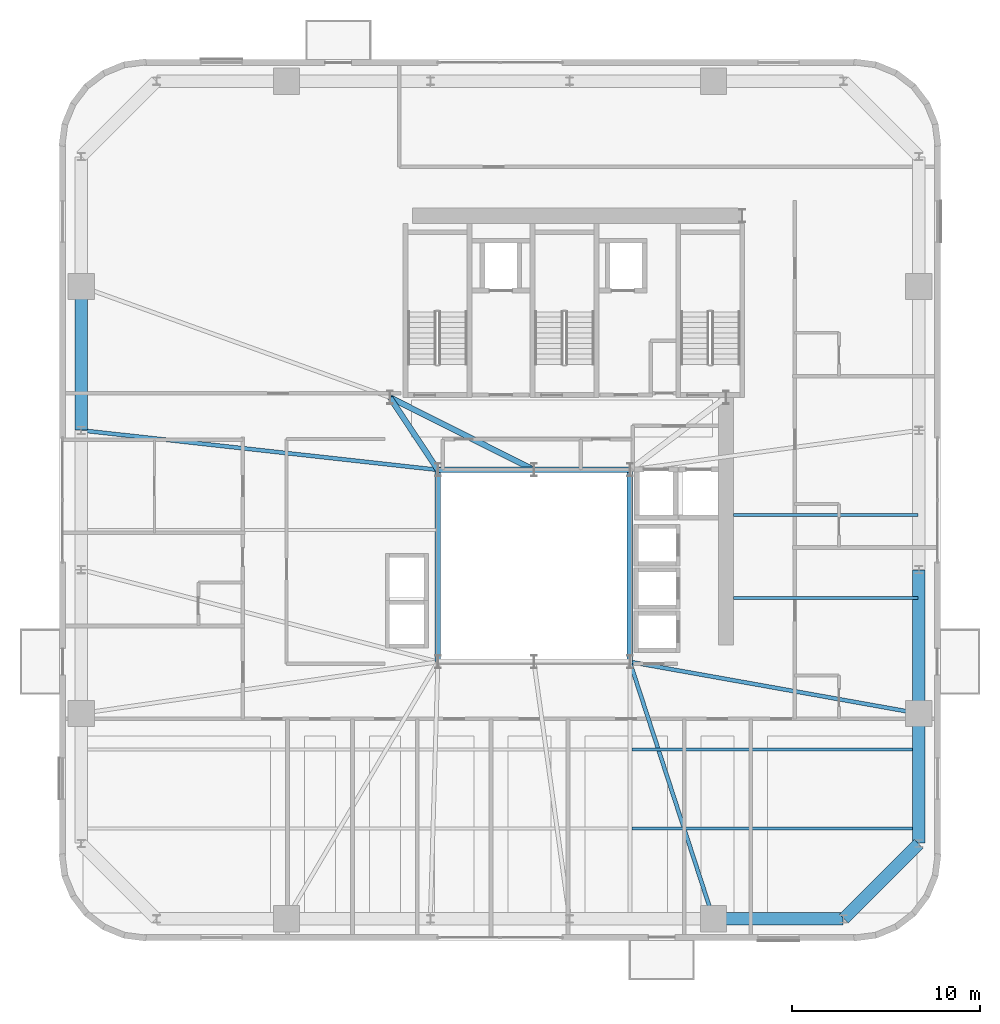
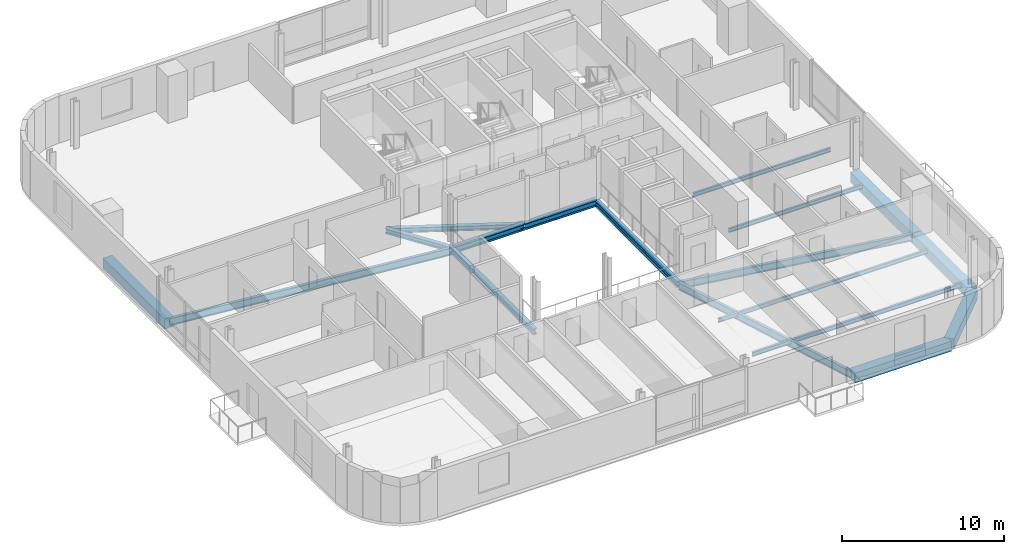
# One storey, part 4 of 16: 18 beams.
"""IFC4 building model written with IfcOpenShell, lengths in metres."""

from ifc_helpers import new_model, si_unit, direction, frame, origin, origin_2d, place, context, subcontext, project, spatial, rectangle, i_section, extrude, source, transform, mapped, material, material_profile, profile_set, type_object, element, save


model = new_model("IFC4")

# Units and contexts
model_context = context("Model", 3, precision=1e-05, world=origin(), true_north=direction((0.0, 1.0)))
body_context = subcontext(model_context, "Body", "Model", "MODEL_VIEW")
ifc_project = project(units=[si_unit("LENGTHUNIT", "METRE"), si_unit("AREAUNIT", "SQUARE_METRE"), si_unit("VOLUMEUNIT", "CUBIC_METRE"), si_unit("PLANEANGLEUNIT", "RADIAN"), si_unit("MASSUNIT", "GRAM", prefix="KILO")], contexts=[model_context])

# Site, building, storey
site_placement = place(None, origin())
site = spatial("IfcSite", under=ifc_project, at=site_placement, CompositionType="ELEMENT")
building_placement = place(site_placement, origin())
building = spatial("IfcBuilding", under=site, at=building_placement, Name="Vardaveli Station Tower", CompositionType="ELEMENT")
storey_placement = place(building_placement, frame((0.0, 0.0, 222.300048828125)))
storey = spatial("IfcBuildingStorey", under=building, at=storey_placement, Name="L57", CompositionType="ELEMENT", Elevation=222.300048828125)

# Beams
ifc_material_1 = material(Name="Structural steel S355J2", Category="steel")
ifc_material_profile_1 = material_profile(ifc_material_1, i_section(OverallWidth=0.300048828125, OverallDepth=0.449951171875, WebThickness=0.013916015625, FlangeThickness=0.02587890625, FilletRadius=0.027099609375, at=origin_2d()), Name="HEB 450")
ifc_profile_set_1 = profile_set([ifc_material_profile_1], Name="Structural steel S355J2")
beam_type_1 = type_object("IfcBeamType", Name="BM-HEB450", PredefinedType="BEAM", material=ifc_profile_set_1)
shared_shape_1 = source(origin(), body_context, "Body", "SweptSolid", [
    extrude(i_section(OverallWidth=0.300048828125, OverallDepth=0.449951171875, WebThickness=0.013916015625, FlangeThickness=0.02587890625, FilletRadius=0.027099609375, at=origin_2d()), origin(), (0.0, 0.0, 1.0), 5.06005859375),
])
beam_1_placement = place(storey_placement, frame((36.280029296875, 26.800048828125, -0.445068359375), z_axis=(-1.0, 0.0, 0.0), x_axis=(0.0, -1.0, 0.0)))
element("IfcBeam", 1, at=beam_1_placement, inside=storey, type_object=beam_type_1, Name="ABM-L57-05", PredefinedType="BEAM", context=body_context, shape_type="MappedRepresentation", body=[
    mapped(shared_shape_1, transform((0.0, 0.0, 0.0), scale=1.0)),
])
shared_shape_2 = source(origin(), body_context, "Body", "SweptSolid", [
    extrude(i_section(OverallWidth=0.300048828125, OverallDepth=0.449951171875, WebThickness=0.013916015625, FlangeThickness=0.02587890625, FilletRadius=0.027099609375, at=origin_2d()), origin(), (0.0, 0.0, 1.0), 5.059814453125),
])
beam_2_placement = place(storey_placement, frame((41.3798828125, 26.800048828125, -0.445068359375), z_axis=(-1.0, 0.0, 0.0), x_axis=(0.0, -1.0, 0.0)))
element("IfcBeam", 2, at=beam_2_placement, inside=storey, type_object=beam_type_1, Name="ABM-L57-04", PredefinedType="BEAM", context=body_context, shape_type="MappedRepresentation", body=[
    mapped(shared_shape_2, transform((0.0, 0.0, 0.0), scale=1.0)),
])
shared_shape_3 = source(origin(), body_context, "Body", "SweptSolid", [
    extrude(i_section(OverallWidth=0.300048828125, OverallDepth=0.449951171875, WebThickness=0.013916015625, FlangeThickness=0.02587890625, FilletRadius=0.027099609375, at=origin_2d()), origin(), (0.0, 0.0, 1.0), 10.159912109375),
])
for number, where, z_axis, x_axis, name in (
    (3, (41.39990234375, 16.6201171875, -0.445068359375), (0.0, 1.0, 0.0), (-1.0, 0.0, 0.0), "ABM-L57-03"),
    (4, (31.199951171875, 26.780029296875, -0.445068359375), (0.0, -1.0, 0.0), (1.0, 0.0, 0.0), "ABM-L57-06"),
):
    element("IfcBeam", number, at=place(storey_placement, frame(where, z_axis=z_axis, x_axis=x_axis)), inside=storey, type_object=beam_type_1, Name=name, PredefinedType="BEAM", context=body_context, shape_type="MappedRepresentation", body=[
        mapped(shared_shape_3, transform((0.0, 0.0, 0.0), scale=1.0)),
    ])
ifc_material_profile_2 = material_profile(ifc_material_1, i_section(OverallWidth=0.300048828125, OverallDepth=0.360107421875, WebThickness=0.012451171875, FlangeThickness=0.0224609375, FilletRadius=0.027099609375, at=origin_2d()), Name="HEB 360")
ifc_profile_set_2 = profile_set([ifc_material_profile_2], Name="Structural steel S355J2")
beam_type_2 = type_object("IfcBeamType", Name="BM-HEB360", PredefinedType="BEAM", material=ifc_profile_set_2)
shared_shape_4 = source(origin(), body_context, "Body", "SweptSolid", [
    extrude(i_section(OverallWidth=0.300048828125, OverallDepth=0.360107421875, WebThickness=0.012451171875, FlangeThickness=0.0224609375, FilletRadius=0.027099609375, at=origin_2d()), origin(), (0.0, 0.0, 1.0), 4.577880859375),
])
beam_3_placement = place(storey_placement, frame((31.18896484375, 26.816650390625, -0.400146484375), z_axis=(-0.55218702139, 0.833720272879, 0.0), x_axis=(-0.833720272879, -0.55218702139, 0.0)))
element("IfcBeam", 5, at=beam_3_placement, inside=storey, type_object=beam_type_2, Name="CBM-L57-01", PredefinedType="BEAM", context=body_context, shape_type="MappedRepresentation", body=[
    mapped(shared_shape_4, transform((0.0, 0.0, 0.0), scale=1.0)),
])
shared_shape_5 = source(origin(), body_context, "Body", "SweptSolid", [
    extrude(i_section(OverallWidth=0.300048828125, OverallDepth=0.360107421875, WebThickness=0.012451171875, FlangeThickness=0.0224609375, FilletRadius=0.027099609375, at=origin_2d()), origin(), (0.0, 0.0, 1.0), 8.524169921875),
])
beam_4_placement = place(storey_placement, frame((28.66796875, 30.64111328125, -0.400146484375), z_axis=(0.893255584708, -0.449549174605, 0.0), x_axis=(0.449549174605, 0.893255584708, 0.0)))
element("IfcBeam", 6, at=beam_4_placement, inside=storey, type_object=beam_type_2, Name="CBM-L57-03", PredefinedType="BEAM", context=body_context, shape_type="MappedRepresentation", body=[
    mapped(shared_shape_5, transform((0.0, 0.0, 0.0), scale=1.0)),
])
ifc_material_2 = material(Name="Precast concrete C45/55", Category="concrete")
ifc_material_profile_3 = material_profile(ifc_material_2, rectangle(XDim=0.64990234375, YDim=0.75, at=origin_2d()), Name="LPB 650x750")
ifc_profile_set_3 = profile_set([ifc_material_profile_3], Name="Precast concrete C45/55")
beam_type_3 = type_object("IfcBeamType", Name="BM-LPB-750", PredefinedType="BEAM", material=ifc_profile_set_3)
shared_shape_6 = source(origin(), body_context, "Body", "SweptSolid", [
    extrude(rectangle(XDim=0.64990234375, YDim=0.75, at=origin_2d()), origin(), (0.0, 0.0, 1.0), 7.60009765625),
])
for number, where, z_axis, x_axis, name in (
    (7, (56.75, 13.8798828125, -0.594970703125), (0.0, 1.0, 0.0), (-1.0, 0.0, 0.0), "RBM-L57-07"),
    (8, (12.25, 36.52001953125, -0.594970703125), (0.0, -1.0, 0.0), (1.0, 0.0, 0.0), "RBM-L57-19"),
):
    element("IfcBeam", number, at=place(storey_placement, frame(where, z_axis=z_axis, x_axis=x_axis)), inside=storey, type_object=beam_type_3, Name=name, PredefinedType="BEAM", context=body_context, shape_type="MappedRepresentation", body=[
        mapped(shared_shape_6, transform((0.0, 0.0, 0.0), scale=1.0)),
    ])
shared_shape_7 = source(origin(), body_context, "Body", "SweptSolid", [
    extrude(rectangle(XDim=0.64990234375, YDim=0.75, at=origin_2d()), origin(), (0.0, 0.0, 1.0), 6.869873046875),
])
beam_5_placement = place(storey_placement, frame((45.860107421875, 2.949951171875, -0.594970703125), z_axis=(1.0, 0.0, 0.0), x_axis=(0.0, 1.0, 0.0)))
element("IfcBeam", 9, at=beam_5_placement, inside=storey, type_object=beam_type_3, Name="RBM-L57-04", PredefinedType="BEAM", context=body_context, shape_type="MappedRepresentation", body=[
    mapped(shared_shape_7, transform((0.0, 0.0, 0.0), scale=1.0)),
])
shared_shape_8 = source(origin(), body_context, "Body", "SweptSolid", [
    extrude(rectangle(XDim=0.64990234375, YDim=0.75, at=origin_2d()), origin(), (0.0, 0.0, 1.0), 5.61669921875),
])
beam_6_placement = place(storey_placement, frame((52.76416015625, 2.964111328125, -0.594970703125), z_axis=(0.707106781187, 0.707106781187, 0.0), x_axis=(-0.707106781187, 0.707106781187, 0.0)))
element("IfcBeam", 10, at=beam_6_placement, inside=storey, type_object=beam_type_3, Name="RBM-L57-05", PredefinedType="BEAM", context=body_context, shape_type="MappedRepresentation", body=[
    mapped(shared_shape_8, transform((0.0, 0.0, 0.0), scale=1.0)),
])
shared_shape_9 = source(origin(), body_context, "Body", "SweptSolid", [
    extrude(rectangle(XDim=0.64990234375, YDim=0.75, at=origin_2d()), origin(), (0.0, 0.0, 1.0), 6.8701171875),
])
beam_7_placement = place(storey_placement, frame((56.75, 6.969970703125, -0.594970703125), z_axis=(0.0, 1.0, 0.0), x_axis=(-1.0, 0.0, 0.0)))
element("IfcBeam", 11, at=beam_7_placement, inside=storey, type_object=beam_type_3, Name="RBM-L57-06", PredefinedType="BEAM", context=body_context, shape_type="MappedRepresentation", body=[
    mapped(shared_shape_9, transform((0.0, 0.0, 0.0), scale=1.0)),
])
ifc_material_profile_4 = material_profile(ifc_material_1, i_section(OverallWidth=0.2099609375, OverallDepth=0.550048828125, WebThickness=0.010986328125, FlangeThickness=0.01708984375, FilletRadius=0.02392578125, at=origin_2d()), Name="IPE 550")
ifc_profile_set_4 = profile_set([ifc_material_profile_4], Name="Structural steel S355J2")
beam_type_4 = type_object("IfcBeamType", Name="BM-IPE550", PredefinedType="BEAM", material=ifc_profile_set_4)
shared_shape_10 = source(origin(), body_context, "Body", "SweptSolid", [
    extrude(i_section(OverallWidth=0.2099609375, OverallDepth=0.550048828125, WebThickness=0.010986328125, FlangeThickness=0.01708984375, FilletRadius=0.02392578125, at=origin_2d()), origin(), (0.0, 0.0, 1.0), 14.31396484375),
])
beam_8_placement = place(storey_placement, frame((45.833740234375, 2.968994140625, -0.4951171875), z_axis=(-0.309311678023, 0.950960717295, 0.0), x_axis=(-0.950960717295, -0.309311678023, 0.0)))
element("IfcBeam", 12, at=beam_8_placement, inside=storey, type_object=beam_type_4, Name="GBM-L57-04", PredefinedType="BEAM", context=body_context, shape_type="MappedRepresentation", body=[
    mapped(shared_shape_10, transform((0.0, 0.0, 0.0), scale=1.0)),
])
shared_shape_11 = source(origin(), body_context, "Body", "SweptSolid", [
    extrude(i_section(OverallWidth=0.2099609375, OverallDepth=0.550048828125, WebThickness=0.010986328125, FlangeThickness=0.01708984375, FilletRadius=0.02392578125, at=origin_2d()), origin(), (0.0, 0.0, 1.0), 15.552490234375),
])
beam_9_placement = place(storey_placement, frame((56.730224609375, 13.863525390625, -0.4951171875), z_axis=(-0.984439991578, 0.1757210943, 0.0), x_axis=(-0.1757210943, -0.984439991578, 0.0)))
element("IfcBeam", 13, at=beam_9_placement, inside=storey, type_object=beam_type_4, Name="GBM-L57-05", PredefinedType="BEAM", context=body_context, shape_type="MappedRepresentation", body=[
    mapped(shared_shape_11, transform((0.0, 0.0, 0.0), scale=1.0)),
])
shared_shape_12 = source(origin(), body_context, "Body", "SweptSolid", [
    extrude(i_section(OverallWidth=0.2099609375, OverallDepth=0.550048828125, WebThickness=0.010986328125, FlangeThickness=0.01708984375, FilletRadius=0.02392578125, at=origin_2d()), origin(), (0.0, 0.0, 1.0), 19.026123046875),
])
beam_10_placement = place(storey_placement, frame((12.269775390625, 28.897705078125, -0.4951171875), z_axis=(0.993916552721, -0.110135762707, 0.0), x_axis=(0.110135762707, 0.993916552721, 0.0)))
element("IfcBeam", 14, at=beam_10_placement, inside=storey, type_object=beam_type_4, Name="GBM-L57-08", PredefinedType="BEAM", context=body_context, shape_type="MappedRepresentation", body=[
    mapped(shared_shape_12, transform((0.0, 0.0, 0.0), scale=1.0)),
])
ifc_material_profile_5 = material_profile(ifc_material_1, i_section(OverallWidth=0.14990234375, OverallDepth=0.300048828125, WebThickness=0.007080078125, FlangeThickness=0.0107421875, FilletRadius=0.014892578125, at=origin_2d()), Name="IPE 300")
ifc_profile_set_5 = profile_set([ifc_material_profile_5], Name="Structural steel S355J2")
beam_type_5 = type_object("IfcBeamType", Name="BM-IPE300", PredefinedType="JOIST", material=ifc_profile_set_5)
shared_shape_13 = source(origin(), body_context, "Body", "SweptSolid", [
    extrude(i_section(OverallWidth=0.14990234375, OverallDepth=0.300048828125, WebThickness=0.007080078125, FlangeThickness=0.0107421875, FilletRadius=0.014892578125, at=origin_2d()), origin(), (0.0, 0.0, 1.0), 15.197998046875),
])
for number, where, z_axis, x_axis, name in (
    (15, (41.511962890625, 7.75, -0.3701171875), (1.0, 0.0, 0.0), (0.0, 1.0, 0.0), "SJ-L57-S02"),
    (16, (41.511962890625, 11.949951171875, -0.3701171875), (1.0, 0.0, 0.0), (0.0, 1.0, 0.0), "SJ-L57-S04"),
):
    element("IfcBeam", number, at=place(storey_placement, frame(where, z_axis=z_axis, x_axis=x_axis)), inside=storey, type_object=beam_type_5, Name=name, PredefinedType="JOIST", context=body_context, shape_type="MappedRepresentation", body=[
        mapped(shared_shape_13, transform((0.0, 0.0, 0.0), scale=1.0)),
    ])
shared_shape_14 = source(origin(), body_context, "Body", "SweptSolid", [
    extrude(i_section(OverallWidth=0.14990234375, OverallDepth=0.300048828125, WebThickness=0.007080078125, FlangeThickness=0.0107421875, FilletRadius=0.014892578125, at=origin_2d()), origin(), (0.0, 0.0, 1.0), 9.804931640625),
])
for number, where, z_axis, x_axis, name in (
    (17, (46.905029296875, 20.0, -0.3701171875), (1.0, 0.0, 0.0), (0.0, 1.0, 0.0), "SJ-L57-E07"),
    (18, (46.905029296875, 24.39990234375, -0.3701171875), (1.0, 0.0, 0.0), (0.0, 1.0, 0.0), "SJ-L57-E08"),
):
    element("IfcBeam", number, at=place(storey_placement, frame(where, z_axis=z_axis, x_axis=x_axis)), inside=storey, type_object=beam_type_5, Name=name, PredefinedType="JOIST", context=body_context, shape_type="MappedRepresentation", body=[
        mapped(shared_shape_14, transform((0.0, 0.0, 0.0), scale=1.0)),
    ])

save(model, "model.ifc")
